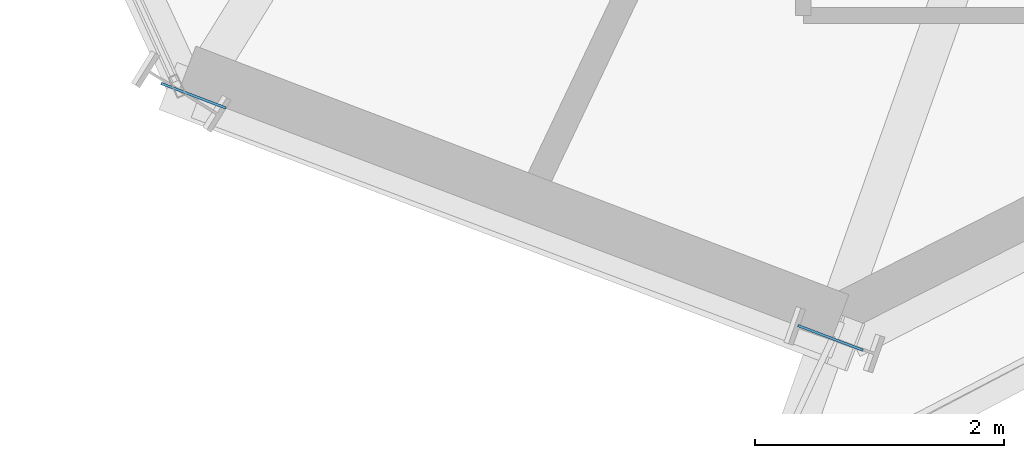
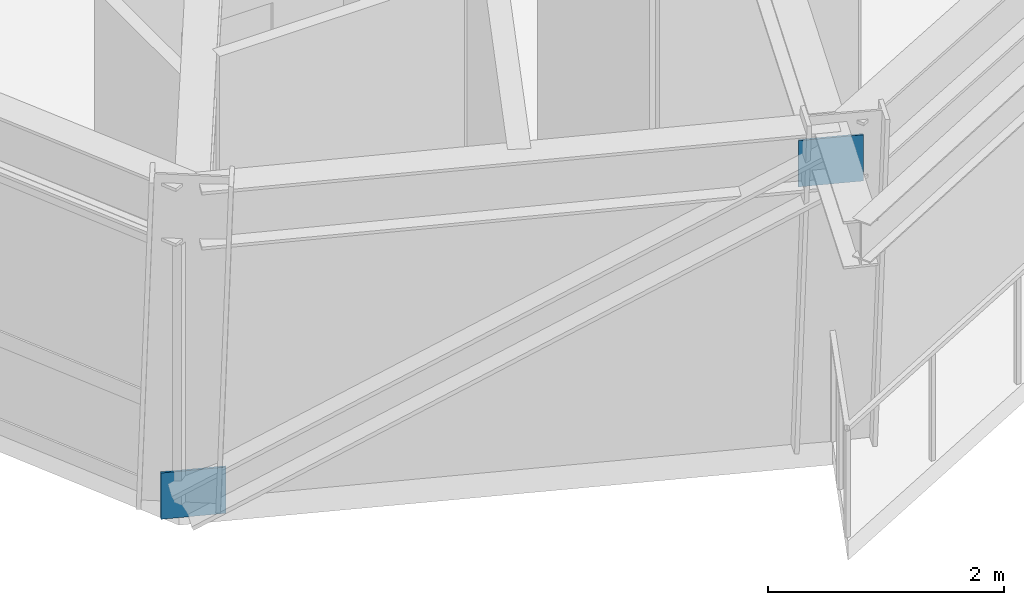
# One storey, part 10 of 21: 2 plates.
"""IFC4 building model written with IfcOpenShell, lengths in metres."""

from ifc_helpers import new_model, si_unit, direction, frame, origin, origin_2d, place, context, subcontext, project, spatial, rectangle, extrude, source, transform, mapped, material, type_object, element, save


model = new_model("IFC4")

# Units and contexts
model_context = context("Model", 3, precision=1e-05, world=origin(), true_north=direction((0.0, 1.0)))
body_context = subcontext(model_context, "Body", "Model", "MODEL_VIEW")
ifc_project = project(units=[si_unit("LENGTHUNIT", "METRE"), si_unit("AREAUNIT", "SQUARE_METRE"), si_unit("VOLUMEUNIT", "CUBIC_METRE"), si_unit("PLANEANGLEUNIT", "RADIAN"), si_unit("MASSUNIT", "GRAM", prefix="KILO")], contexts=[model_context])

# Site, building, storey
site_placement = place(None, origin())
site = spatial("IfcSite", under=ifc_project, at=site_placement, CompositionType="ELEMENT")
building_placement = place(site_placement, origin())
building = spatial("IfcBuilding", under=site, at=building_placement, Name="Olszyna Solenne Hotel", CompositionType="ELEMENT")
storey_placement = place(building_placement, frame((0.0, 0.0, 91.5)))
storey = spatial("IfcBuildingStorey", under=building, at=storey_placement, Name="L23", CompositionType="ELEMENT", Elevation=91.5)

# Plates
ifc_material = material(Name="Steel S355J2", Category="steel")
plate_type = type_object("IfcPlateType", Name="GP-ND2", PredefinedType="USERDEFINED", material=ifc_material)
shared_shape = source(origin(), body_context, "Body", "SweptSolid", [
    extrude(rectangle(XDim=0.56005859375, YDim=0.02001953125, at=origin_2d()), origin(), (0.0, 0.0, 1.0), 0.47998046875),
])
for number, where, z_axis, x_axis, name in (
    (1, (24.638427734375, 5.03076171875, -0.165771484375), (0.0, 0.0, 1.0), (0.934701663732, -0.355433256487, 0.0), "Brace end connection gusset plate GP-ND2 EP-BR-L23-3-1"),
    (2, (29.76123046875, 3.0830078125, 2.665771484375), (0.0, 0.0, 1.0), (0.934701663732, -0.355433256487, 0.0), "Brace end connection gusset plate GP-ND2 EP-BR-L23-3-2"),
):
    element("IfcPlate", number, at=place(storey_placement, frame(where, z_axis=z_axis, x_axis=x_axis)), inside=storey, type_object=plate_type, Name=name, ObjectType="GUSSET_PLATE", PredefinedType="USERDEFINED", context=body_context, shape_type="MappedRepresentation", body=[
        mapped(shared_shape, transform((0.0, 0.0, 0.0), x_axis=(1.0, 0.0, 0.0), y_axis=(0.0, 1.0, 0.0), z_axis=(0.0, 0.0, 1.0), scale=1.0)),
    ])

save(model, "model.ifc")
